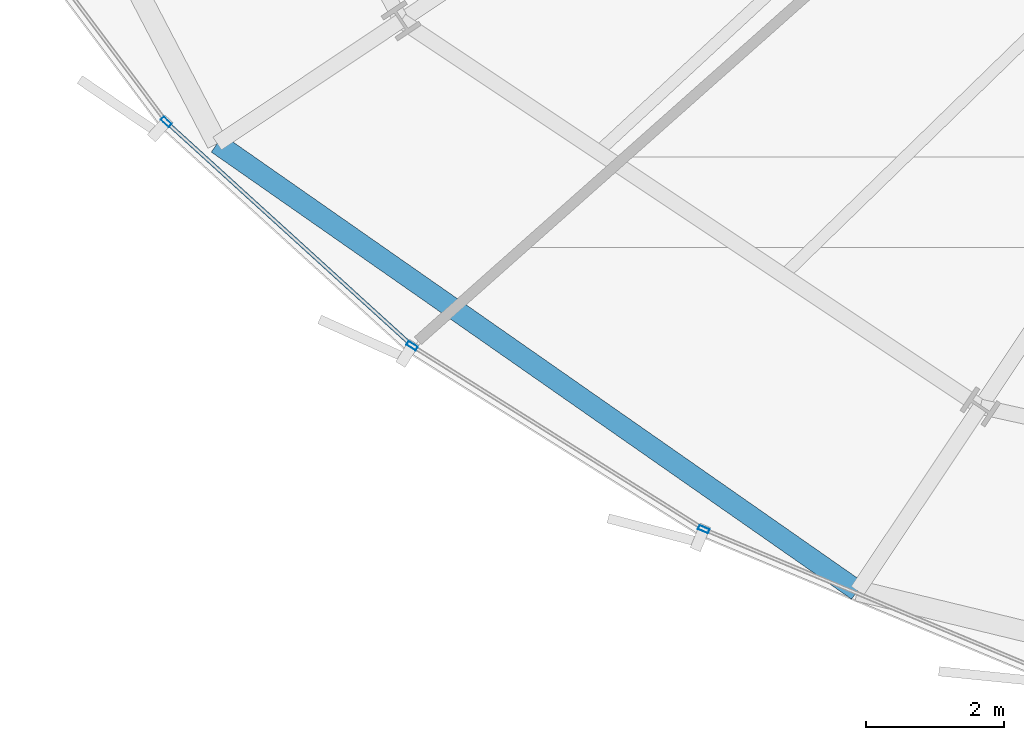
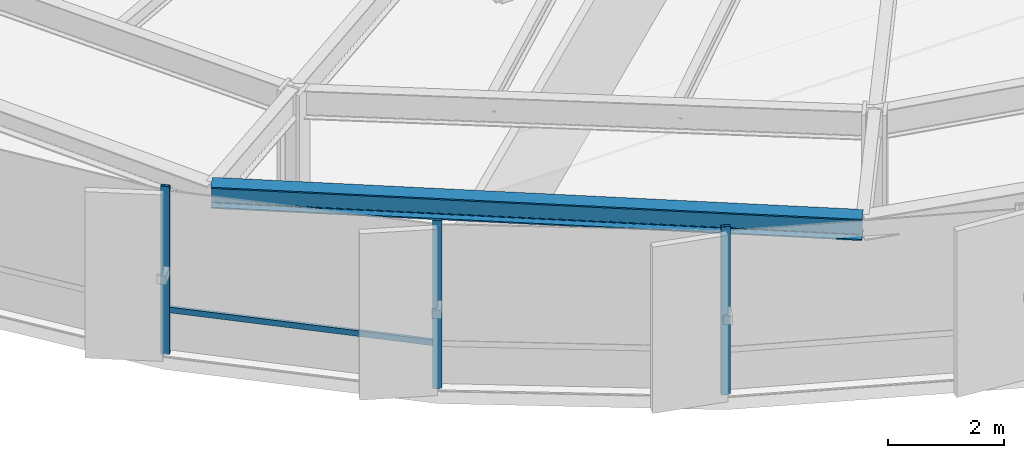
# One storey, part 2 of 37: 4 members, 1 beam, 1 element without a shape of its own.
"""IFC4 building model written with IfcOpenShell, lengths in metres."""

from ifc_helpers import new_model, si_unit, direction, frame, origin, origin_2d, place, context, subcontext, project, spatial, hollow_rectangle, i_section, extrude, source, transform, mapped, material, layer, layer_set, material_profile, profile_set, type_object, element, aggregate, save


model = new_model("IFC4")

# Units and contexts
model_context = context("Model", 3, precision=1e-05, world=origin(), true_north=direction((0.0, 1.0)))
body_context = subcontext(model_context, "Body", "Model", "MODEL_VIEW")
ifc_project = project(units=[si_unit("LENGTHUNIT", "METRE"), si_unit("AREAUNIT", "SQUARE_METRE"), si_unit("VOLUMEUNIT", "CUBIC_METRE"), si_unit("PLANEANGLEUNIT", "RADIAN"), si_unit("MASSUNIT", "GRAM", prefix="KILO"), si_unit("THERMODYNAMICTEMPERATUREUNIT", "KELVIN")], contexts=[model_context])

# Site, building, storey
site_placement = place(None, origin())
site = spatial("IfcSite", under=ifc_project, at=site_placement, CompositionType="ELEMENT")
building_placement = place(site_placement, origin())
building = spatial("IfcBuilding", under=site, at=building_placement, Name="Kethvar Cultural Tower", CompositionType="ELEMENT")
storey_placement = place(building_placement, frame((0.0, 0.0, 60.0)))
storey = spatial("IfcBuildingStorey", under=building, at=storey_placement, Name="L14", CompositionType="ELEMENT", Elevation=60.0)

# Beam
ifc_material_1 = material(Name="Steel S355J2", Category="steel")
ifc_material_profile_1 = material_profile(ifc_material_1, i_section(OverallWidth=0.300048828125, OverallDepth=0.449951171875, WebThickness=0.013916015625, FlangeThickness=0.02587890625, FilletRadius=0.027099609375, at=origin_2d()), Name="Steel S355J2 — HEB450")
ifc_profile_set_1 = profile_set([ifc_material_profile_1], Name="Steel S355J2 — HEB450")
beam_type = type_object("IfcBeamType", Name="BM-SP450", PredefinedType="SPANDREL", material=ifc_profile_set_1)
shared_shape_1 = source(origin(), body_context, "Body", "SweptSolid", [
    extrude(i_section(OverallWidth=0.300048828125, OverallDepth=0.449951171875, WebThickness=0.013916015625, FlangeThickness=0.02587890625, FilletRadius=0.027099609375, at=origin_2d()), origin(), (0.0, 0.0, 1.0), 11.295166015625),
])
beam_placement = place(storey_placement, frame((22.263916015625, 11.405517578125, 3.322998046875), z_axis=(0.819850874587, -0.572577106981, 0.0), x_axis=(0.572577106981, 0.819850874587, 0.0)))
element("IfcBeam", 1, at=beam_placement, inside=storey, type_object=beam_type, Name="L14 Perimeter Spandrel Beam SP-10", PredefinedType="SPANDREL", context=body_context, shape_type="MappedRepresentation", body=[
    mapped(shared_shape_1, transform((0.0, 0.0, 0.0), scale=1.0)),
])

# Curtain wall, members
ifc_material_2 = material(Name="Aluminium 6063-T6", Category="aluminium")
ifc_layer = layer(ifc_material_2, 0.179931640625, Name="Aluminium 6063-T6", Category="aluminium")
ifc_layer_set = layer_set([ifc_layer], Name="Aluminium 6063-T6 (180 mm)")
curtain_wall_type = type_object("IfcCurtainWallType", Name="CW-SYS-02-Z1", PredefinedType="NOTDEFINED", material=ifc_layer_set)
curtain_wall_placement = place(storey_placement, origin())
curtain_wall = element("IfcCurtainWall", 2, at=curtain_wall_placement, inside=storey, type_object=curtain_wall_type, Name="L14 Curtain Wall Run 04", PredefinedType="NOTDEFINED")
ifc_material_profile_2 = material_profile(ifc_material_2, hollow_rectangle(XDim=0.06494140625, YDim=0.159912109375, WallThickness=0.0048828125, at=origin_2d()), Name="Aluminium 6063-T6 — RHS160x65x5")
ifc_profile_set_2 = profile_set([ifc_material_profile_2], Name="Aluminium 6063-T6 — RHS160x65x5")
member_type_1 = type_object("IfcMemberType", Name="CW-SYS-02-Z1-MUL", PredefinedType="MULLION", material=ifc_profile_set_2)
shared_shape_2 = source(origin(), body_context, "Body", "SweptSolid", [
    extrude(hollow_rectangle(XDim=0.06494140625, YDim=0.159912109375, WallThickness=0.0048828125, at=origin_2d()), origin(), (0.0, 0.0, 1.0), 3.550048828125),
])
member_1_placement = place(storey_placement, frame((21.526123046875, 11.718505859375, 0.0), z_axis=(0.0, 0.0, 1.0), x_axis=(0.672986695104, 0.739654587097, 0.0)))
member_1 = element("IfcMember", 3, at=member_1_placement, type_object=member_type_1, Name="CW-L14-R04 Mullion 4", PredefinedType="MULLION", context=body_context, shape_type="MappedRepresentation", body=[
    mapped(shared_shape_2, transform((0.0, 0.0, 0.0), scale=1.0)),
])
member_2_placement = place(storey_placement, frame((25.082763671875, 8.479736328125, 0.0), z_axis=(0.0, 0.0, 1.0), x_axis=(0.532048965695, 0.846713586818, 0.0)))
member_2 = element("IfcMember", 4, at=member_2_placement, type_object=member_type_1, Name="CW-L14-R04 Mullion 5", PredefinedType="MULLION", context=body_context, shape_type="MappedRepresentation", body=[
    mapped(shared_shape_2, transform((0.0, 0.0, 0.0), scale=1.0)),
])
member_3_placement = place(storey_placement, frame((29.30078125, 5.827392578125, 0.0), z_axis=(0.0, 0.0, 1.0), x_axis=(0.385213576644, 0.92282744886, 0.0)))
member_3 = element("IfcMember", 5, at=member_3_placement, type_object=member_type_1, Name="CW-L14-R04 Mullion 6", PredefinedType="MULLION", context=body_context, shape_type="MappedRepresentation", body=[
    mapped(shared_shape_2, transform((0.0, 0.0, 0.0), scale=1.0)),
])
ifc_material_profile_3 = material_profile(ifc_material_2, hollow_rectangle(XDim=0.054931640625, YDim=0.1201171875, WallThickness=0.00390625, at=origin_2d()), Name="Aluminium 6063-T6 — RHS120x55x4")
ifc_profile_set_3 = profile_set([ifc_material_profile_3], Name="Aluminium 6063-T6 — RHS120x55x4")
member_type_2 = type_object("IfcMemberType", Name="CW-SYS-02-Z1-TRN", PredefinedType="USERDEFINED", material=ifc_profile_set_3)
shared_shape_3 = source(origin(), body_context, "Body", "SweptSolid", [
    extrude(hollow_rectangle(XDim=0.054931640625, YDim=0.1201171875, WallThickness=0.00390625, at=origin_2d()), origin(), (0.0, 0.0, 1.0), 4.73779296875),
])
member_4_placement = place(storey_placement, frame((21.560791015625, 11.68701171875, 0.949951171875), z_axis=(0.739660209014, -0.672980516213, 0.0), x_axis=(0.672980516213, 0.739660209014, 0.0)))
member_4 = element("IfcMember", 6, at=member_4_placement, type_object=member_type_2, Name="CW-L14-R04 Transom 4", ObjectType="TRANSOM", PredefinedType="USERDEFINED", context=body_context, shape_type="MappedRepresentation", body=[
    mapped(shared_shape_3, transform((0.0, 0.0, 0.0), scale=1.0)),
])
aggregate(curtain_wall, [member_1, member_2, member_3, member_4])

save(model, "model.ifc")
